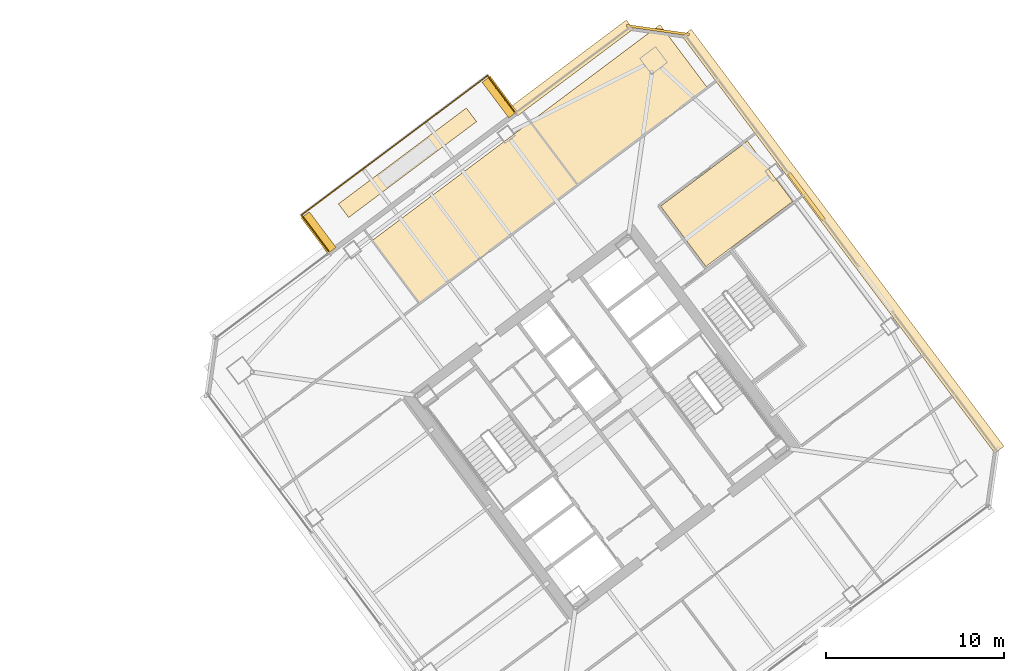
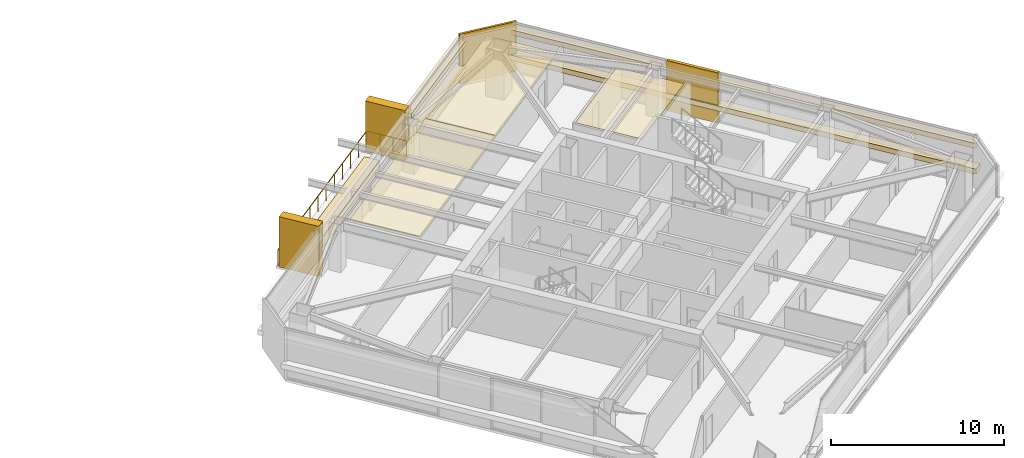
# One storey, part 42 of 43: 12 coverings, 3 railings.
"""IFC4 building model written with IfcOpenShell, lengths in metres."""

from ifc_helpers import new_model, si_unit, direction, frame, origin, origin_2d, place, context, subcontext, project, spatial, polyline, rectangle, outline, extrude, material, layer, layer_set, type_object, element, save


model = new_model("IFC4")

# Units and contexts
model_context = context("Model", 3, precision=1e-05, world=origin(), true_north=direction((0.0, 1.0)))
body_context = subcontext(model_context, "Body", "Model", "MODEL_VIEW")
ifc_project = project(units=[si_unit("LENGTHUNIT", "METRE"), si_unit("AREAUNIT", "SQUARE_METRE"), si_unit("VOLUMEUNIT", "CUBIC_METRE"), si_unit("PLANEANGLEUNIT", "RADIAN"), si_unit("MASSUNIT", "GRAM", prefix="KILO")], contexts=[model_context])

# Site, building, storey
site_placement = place(None, origin())
site = spatial("IfcSite", under=ifc_project, at=site_placement, CompositionType="ELEMENT")
building_placement = place(site_placement, origin())
building = spatial("IfcBuilding", under=site, at=building_placement, Name="Tashvorn Skyway Center", CompositionType="ELEMENT")
storey_placement = place(building_placement, frame((0.0, 0.0, 188.949951171875)))
storey = spatial("IfcBuildingStorey", under=building, at=storey_placement, Name="L51", CompositionType="ELEMENT", Elevation=188.949951171875)

# Coverings
ifc_material_1 = material(Name="Precast concrete C40/50", Category="concrete")
ifc_layer_1 = layer(ifc_material_1, 0.199951171875)
ifc_layer_set_1 = layer_set([ifc_layer_1], Name="Precast concrete C40/50")
covering_type_1 = type_object("IfcCoveringType", Name="COV-BRACE-CLAD", PredefinedType="CLADDING", material=ifc_layer_set_1)
covering_1_placement = place(storey_placement, frame((125.47998046875, 44.659912109375, 0.0), z_axis=(0.0, 0.0, 1.0), x_axis=(0.600000004945, -0.799999996291, 0.0)))
element("IfcCovering", 1, at=covering_1_placement, inside=storey, type_object=covering_type_1, Name="Tower 2 L51 East Unitised Curtain Wall Mega-Brace Cladding Band 1", PredefinedType="CLADDING", context=body_context, shape_type="SweptSolid", body=[
    extrude(rectangle(XDim=3.239990234375, YDim=0.199951171875, at=origin_2d()), origin(), (0.0, 0.0, 1.0), 3.550048828125),
])
ifc_material_2 = material(Name="Mineral-fibre acoustic ceiling tile on suspended grid")
ifc_layer_2 = layer(ifc_material_2, 0.02001953125)
ifc_layer_set_2 = layer_set([ifc_layer_2], Name="Mineral-fibre acoustic ceiling tile on suspended grid")
covering_type_2 = type_object("IfcCoveringType", Name="COV-CEIL-20", PredefinedType="CEILING", material=ifc_layer_set_2)
covering_2_placement = place(storey_placement, frame((0.0, 0.0, 2.703125)))
element("IfcCovering", 2, at=covering_2_placement, inside=storey, type_object=covering_type_2, Name="Tower 2 L51 Operations Control Room Acoustic Ceiling", PredefinedType="CEILING", context=body_context, shape_type="SweptSolid", body=[
    extrude(outline(polyline([(103.758056640625, 38.656005859375), (112.637939453125, 45.31591796875), (109.97998046875, 48.860107421875), (101.10009765625, 42.199951171875), (103.758056640625, 38.656005859375)])), origin(), (0.0, 0.0, 1.0), 0.02001953125),
])
covering_3_placement = place(storey_placement, frame((0.0, 0.0, 2.703125)))
element("IfcCovering", 3, at=covering_3_placement, inside=storey, type_object=covering_type_2, Name="Tower 2 L51 Catering Pantry Acoustic Ceiling", PredefinedType="CEILING", context=body_context, shape_type="SweptSolid", body=[
    extrude(outline(polyline([(112.637939453125, 45.31591796875), (119.91796875, 50.77587890625), (117.260009765625, 54.320068359375), (109.97998046875, 48.860107421875), (112.637939453125, 45.31591796875)])), origin(), (0.0, 0.0, 1.0), 0.02001953125),
])
covering_4_placement = place(storey_placement, frame((0.0, 0.0, 2.703125)))
element("IfcCovering", 4, at=covering_4_placement, inside=storey, type_object=covering_type_2, Name="Tower 2 L51 Wellness Clinic Acoustic Ceiling", PredefinedType="CEILING", context=body_context, shape_type="SweptSolid", body=[
    extrude(outline(polyline([(119.840087890625, 40.72998046875), (117.2958984375, 44.1220703125), (122.16796875, 47.77587890625), (124.7119140625, 44.384033203125), (119.840087890625, 40.72998046875)])), origin(), (0.0, 0.0, 1.0), 0.02001953125),
])
ifc_material_3 = material(Name="Perforated ceramic-coated bronze aluminium solar screen", Category="aluminium")
ifc_layer_3 = layer(ifc_material_3, 0.85009765625)
ifc_layer_set_3 = layer_set([ifc_layer_3], Name="Perforated ceramic-coated bronze aluminium solar screen")
covering_type_3 = type_object("IfcCoveringType", Name="COV-SOLAR-BAND", PredefinedType="CLADDING", material=ifc_layer_set_3)
for number, where, z_axis, x_axis, name in (
    (5, (112.320068359375, 51.889892578125, 0.919921875), (0.0, 0.0, 1.0), (0.799999996291, 0.600000004945, 0.0), "L51 Perforated Ceramic-Metal Solar Screen Louvre Band North 1"),
    (6, (112.320068359375, 51.889892578125, 2.72021484375), (0.0, 0.0, 1.0), (0.799999996291, 0.600000004945, 0.0), "L51 Perforated Ceramic-Metal Solar Screen Louvre Band North 2"),
):
    element("IfcCovering", number, at=place(storey_placement, frame(where, z_axis=z_axis, x_axis=x_axis)), inside=storey, type_object=covering_type_3, Name=name, PredefinedType="CLADDING", context=body_context, shape_type="SweptSolid", body=[
        extrude(rectangle(XDim=8.10009765625, YDim=0.639892578125, at=origin_2d()), origin(), (0.0, 0.0, 1.0), 0.360107421875),
    ])
for number, where, z_axis, x_axis, name in (
    (7, (127.535888671875, 42.152099609375, 0.919921875), (0.0, 0.0, 1.0), (0.600000004945, -0.799999996291, 0.0), "L51 Perforated Ceramic-Metal Solar Screen Louvre Band East 1"),
    (8, (127.535888671875, 42.152099609375, 2.72021484375), (0.0, 0.0, 1.0), (0.600000004945, -0.799999996291, 0.0), "L51 Perforated Ceramic-Metal Solar Screen Louvre Band East 2"),
):
    element("IfcCovering", number, at=place(storey_placement, frame(where, z_axis=z_axis, x_axis=x_axis)), inside=storey, type_object=covering_type_3, Name=name, PredefinedType="CLADDING", context=body_context, shape_type="SweptSolid", body=[
        extrude(rectangle(XDim=29.280029296875, YDim=0.639892578125, at=origin_2d()), origin(), (0.0, 0.0, 1.0), 0.360107421875),
    ])
ifc_layer_4 = layer(ifc_material_1, 0.35009765625)
ifc_layer_set_4 = layer_set([ifc_layer_4], Name="Precast concrete C40/50")
covering_type_4 = type_object("IfcCoveringType", Name="COV-STONE-TRIM", PredefinedType="CLADDING", material=ifc_layer_set_4)
for number, where, z_axis, x_axis, name in (
    (9, (98.090087890625, 42.6298828125, 0.0), (0.0, 0.0, 1.0), (0.799999996291, 0.600000004945, 0.0), "Tower 2 L51 Sky Garden Loggia Pier L"),
    (10, (108.25, 50.25, 0.0), (0.0, 0.0, 1.0), (0.799999996291, 0.600000004945, 0.0), "Tower 2 L51 Sky Garden Loggia Pier R"),
):
    element("IfcCovering", number, at=place(storey_placement, frame(where, z_axis=z_axis, x_axis=x_axis)), inside=storey, type_object=covering_type_4, Name=name, PredefinedType="CLADDING", context=body_context, shape_type="SweptSolid", body=[
        extrude(rectangle(XDim=0.580078125, YDim=2.5, at=origin_2d()), origin(), (0.0, 0.0, 1.0), 3.550048828125),
    ])
covering_5_placement = place(storey_placement, frame((103.080078125, 46.56005859375, 0.0), z_axis=(0.0, 0.0, 1.0), x_axis=(0.799999996291, 0.600000004945, 0.0)))
element("IfcCovering", 11, at=covering_5_placement, inside=storey, type_object=covering_type_4, Name="Tower 2 L51 Sky Garden Stone Planter Bed", PredefinedType="CLADDING", context=body_context, shape_type="SweptSolid", body=[
    extrude(rectangle(XDim=8.97607421875, YDim=0.949951171875, at=origin_2d()), origin(), (0.0, 0.0, 1.0), 0.800048828125),
])
covering_6_placement = place(storey_placement, frame((117.14404296875, 54.008056640625, 0.02001953125), z_axis=(0.0, 0.0, 1.0), x_axis=(0.989949494535, -0.141421350118, 0.0)))
element("IfcCovering", 12, at=covering_6_placement, inside=storey, type_object=covering_type_4, Name="Tower 2 L51 NE Mojave Limestone Corner Quoin", PredefinedType="CLADDING", context=body_context, shape_type="SweptSolid", body=[
    extrude(rectangle(XDim=3.55419921875, YDim=0.139892578125, at=origin_2d()), origin(), (0.0, 0.0, 1.0), 3.510009765625),
])

# Railings
ifc_material_4 = material(Name="Galvanized steel S355", Category="steel")
railing_type = type_object("IfcRailingType", Name="RAIL-GUARD-1120", PredefinedType="GUARDRAIL", material=ifc_material_4)
railing_1_placement = place(storey_placement, frame((98.64404296875, 41.60791015625, 0.0)))
element("IfcRailing", 13, at=railing_1_placement, inside=storey, type_object=railing_type, Name="L51 Tower 2 Terrace Guardrail 01", PredefinedType="GUARDRAIL", context=body_context, shape_type="SweptSolid", body=[
    extrude(rectangle(XDim=0.048095703125, YDim=0.048095703125, at=origin_2d()), frame((0.0, 0.0, 1.09619140625), z_axis=(-0.599968998406, 0.800023250257, 0.0), x_axis=(-0.800023250257, -0.599968998406, 0.0)), (0.0, 0.0, 1.0), 2.52001953125),
    extrude(rectangle(XDim=0.0419921875, YDim=0.0419921875, at=origin_2d()), origin(), (0.0, 0.0, 1.0), 1.072021484375),
    extrude(rectangle(XDim=0.0419921875, YDim=0.0419921875, at=origin_2d()), frame((-0.50390625, 0.672119140625, 0.0)), (0.0, 0.0, 1.0), 1.072021484375),
    extrude(rectangle(XDim=0.0419921875, YDim=0.0419921875, at=origin_2d()), frame((-1.008056640625, 1.343994140625, 0.0)), (0.0, 0.0, 1.0), 1.072021484375),
    extrude(rectangle(XDim=0.0419921875, YDim=0.0419921875, at=origin_2d()), frame((-1.511962890625, 2.01611328125, 0.0)), (0.0, 0.0, 1.0), 1.072021484375),
])
railing_2_placement = place(storey_placement, frame((97.132080078125, 43.6240234375, 0.0)))
element("IfcRailing", 14, at=railing_2_placement, inside=storey, type_object=railing_type, Name="L51 Tower 2 Terrace Guardrail 02", PredefinedType="GUARDRAIL", context=body_context, shape_type="SweptSolid", body=[
    extrude(rectangle(XDim=0.048095703125, YDim=0.048095703125, at=origin_2d()), frame((0.0, 0.0, 1.09619140625), z_axis=(0.799997753283, 0.600002995611, 0.0), x_axis=(-0.600002995611, 0.799997753283, 0.0)), (0.0, 0.0, 1.0), 13.039794921875),
    extrude(rectangle(XDim=0.0419921875, YDim=0.0419921875, at=origin_2d()), origin(), (0.0, 0.0, 1.0), 1.072021484375),
    extrude(rectangle(XDim=0.0419921875, YDim=0.0419921875, at=origin_2d()), frame((0.9482421875, 0.711181640625, 0.0)), (0.0, 0.0, 1.0), 1.072021484375),
    extrude(rectangle(XDim=0.0419921875, YDim=0.0419921875, at=origin_2d()), frame((1.896728515625, 1.422607421875, 0.0)), (0.0, 0.0, 1.0), 1.072021484375),
    extrude(rectangle(XDim=0.0419921875, YDim=0.0419921875, at=origin_2d()), frame((2.844970703125, 2.1337890625, 0.0)), (0.0, 0.0, 1.0), 1.072021484375),
    extrude(rectangle(XDim=0.0419921875, YDim=0.0419921875, at=origin_2d()), frame((3.79345703125, 2.844970703125, 0.0)), (0.0, 0.0, 1.0), 1.072021484375),
    extrude(rectangle(XDim=0.0419921875, YDim=0.0419921875, at=origin_2d()), frame((4.74169921875, 3.556396484375, 0.0)), (0.0, 0.0, 1.0), 1.072021484375),
    extrude(rectangle(XDim=0.0419921875, YDim=0.0419921875, at=origin_2d()), frame((5.690185546875, 4.267578125, 0.0)), (0.0, 0.0, 1.0), 1.072021484375),
    extrude(rectangle(XDim=0.0419921875, YDim=0.0419921875, at=origin_2d()), frame((6.638427734375, 4.97900390625, 0.0)), (0.0, 0.0, 1.0), 1.072021484375),
    extrude(rectangle(XDim=0.0419921875, YDim=0.0419921875, at=origin_2d()), frame((7.5869140625, 5.690185546875, 0.0)), (0.0, 0.0, 1.0), 1.072021484375),
    extrude(rectangle(XDim=0.0419921875, YDim=0.0419921875, at=origin_2d()), frame((8.53515625, 6.4013671875, 0.0)), (0.0, 0.0, 1.0), 1.072021484375),
    extrude(rectangle(XDim=0.0419921875, YDim=0.0419921875, at=origin_2d()), frame((9.483642578125, 7.11279296875, 0.0)), (0.0, 0.0, 1.0), 1.072021484375),
    extrude(rectangle(XDim=0.0419921875, YDim=0.0419921875, at=origin_2d()), frame((10.431884765625, 7.823974609375, 0.0)), (0.0, 0.0, 1.0), 1.072021484375),
])
railing_3_placement = place(storey_placement, frame((107.56396484375, 51.447998046875, 0.0)))
element("IfcRailing", 15, at=railing_3_placement, inside=storey, type_object=railing_type, Name="L51 Tower 2 Terrace Guardrail 03", PredefinedType="GUARDRAIL", context=body_context, shape_type="SweptSolid", body=[
    extrude(rectangle(XDim=0.048095703125, YDim=0.048095703125, at=origin_2d()), frame((0.0, 0.0, 1.09619140625), z_axis=(0.599968998406, -0.800023250257, 0.0), x_axis=(0.800023250257, 0.599968998406, 0.0)), (0.0, 0.0, 1.0), 2.52001953125),
    extrude(rectangle(XDim=0.0419921875, YDim=0.0419921875, at=origin_2d()), origin(), (0.0, 0.0, 1.0), 1.072021484375),
    extrude(rectangle(XDim=0.0419921875, YDim=0.0419921875, at=origin_2d()), frame((0.50390625, -0.672119140625, 0.0)), (0.0, 0.0, 1.0), 1.072021484375),
    extrude(rectangle(XDim=0.0419921875, YDim=0.0419921875, at=origin_2d()), frame((1.008056640625, -1.343994140625, 0.0)), (0.0, 0.0, 1.0), 1.072021484375),
    extrude(rectangle(XDim=0.0419921875, YDim=0.0419921875, at=origin_2d()), frame((1.511962890625, -2.01611328125, 0.0)), (0.0, 0.0, 1.0), 1.072021484375),
])

save(model, "model.ifc")
